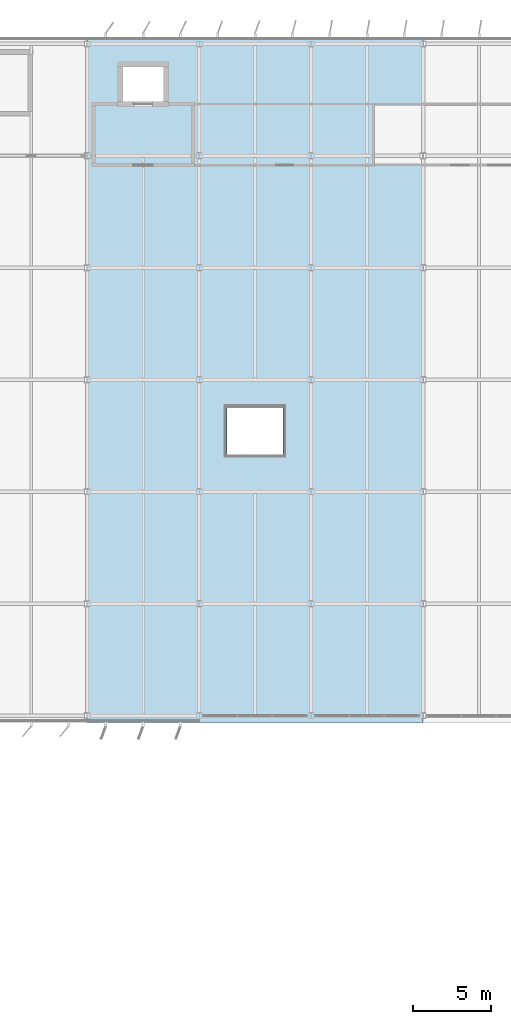
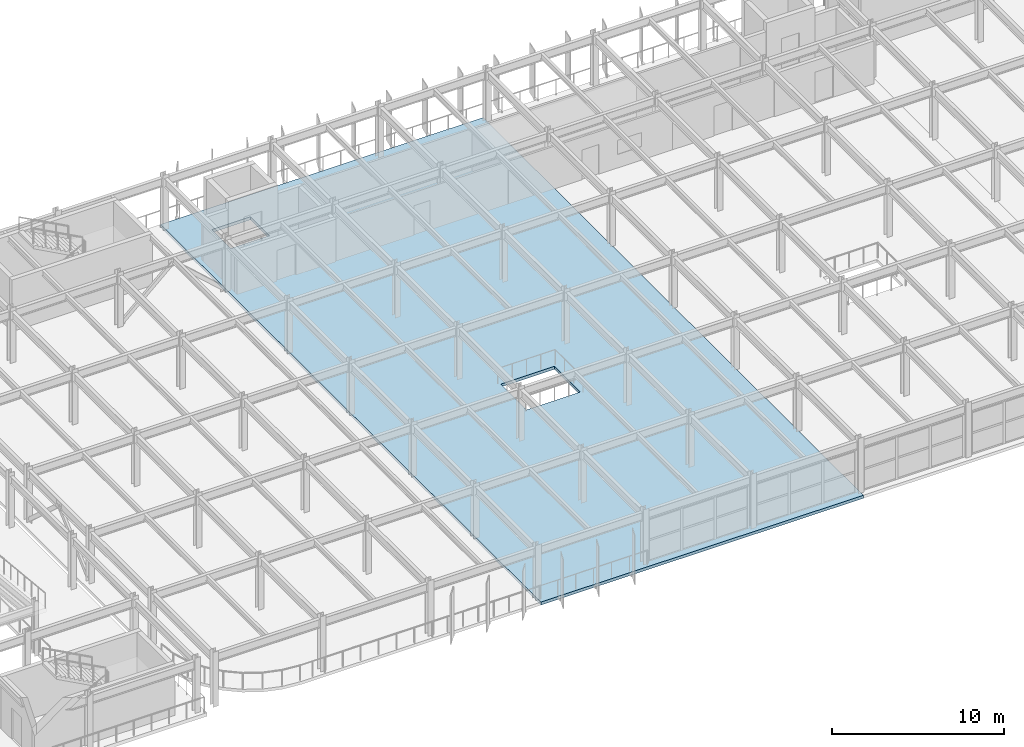
# One storey, part 27 of 52: 1 slab.
"""IFC4 building model written with IfcOpenShell, lengths in metres."""

from ifc_helpers import new_model, si_unit, direction, frame, origin, place, context, subcontext, project, spatial, polyline, outline, extrude, material, layer, layer_set, type_object, element, save


model = new_model("IFC4")

# Units and contexts
model_context = context("Model", 3, precision=1e-05, world=origin(), true_north=direction((0.0, 1.0)))
body_context = subcontext(model_context, "Body", "Model", "MODEL_VIEW")
ifc_project = project(units=[si_unit("LENGTHUNIT", "METRE"), si_unit("AREAUNIT", "SQUARE_METRE"), si_unit("VOLUMEUNIT", "CUBIC_METRE"), si_unit("PLANEANGLEUNIT", "RADIAN"), si_unit("MASSUNIT", "GRAM", prefix="KILO")], contexts=[model_context])

# Site, building, storey
site_placement = place(None, origin())
site = spatial("IfcSite", under=ifc_project, at=site_placement, CompositionType="ELEMENT")
building_placement = place(site_placement, origin())
building = spatial("IfcBuilding", under=site, at=building_placement, Name="Vaelcorin Mobility Hub", CompositionType="ELEMENT")
storey_placement = place(building_placement, frame((0.0, 0.0, 13.199951171875)))
storey = spatial("IfcBuildingStorey", under=building, at=storey_placement, Name="L03", CompositionType="ELEMENT", Elevation=13.199951171875)

# Slab
ifc_material = material(Name="Concrete f'c 35 MPa", Category="concrete")
ifc_layer = layer(ifc_material, 0.2099609375)
ifc_layer_set = layer_set([ifc_layer], Name="Concrete f'c 35 MPa")
slab_type = type_object("IfcSlabType", Name="SLAB-PK4", PredefinedType="FLOOR", material=ifc_layer_set)
slab_placement = place(storey_placement, frame((0.0, 0.0, -0.2099609375)))
element("IfcSlab", 1, at=slab_placement, inside=storey, type_object=slab_type, Name="L03 EV Mobility Deck SL-V4-L03-Q2", PredefinedType="FLOOR", context=body_context, shape_type="SweptSolid", body=[
    extrude(outline(polyline([(57.60009765625, 120.449951171875), (79.199951171875, 120.449951171875), (79.199951171875, 76.35009765625), (57.60009765625, 76.35009765625), (57.60009765625, 120.449951171875)]), holes=[polyline([(70.199951171875, 96.60009765625), (66.60009765625, 96.60009765625), (66.60009765625, 93.60009765625), (70.199951171875, 93.60009765625), (70.199951171875, 96.60009765625)]), polyline([(62.5, 118.5), (59.89990234375, 118.5), (59.89990234375, 116.300048828125), (62.5, 116.300048828125), (62.5, 118.5)])]), origin(), (0.0, 0.0, 1.0), 0.2099609375),
])

save(model, "model.ifc")
